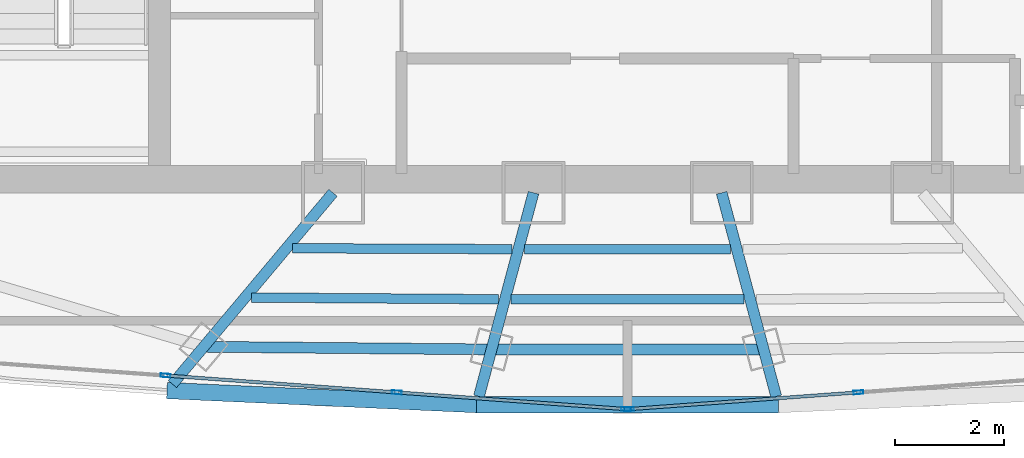
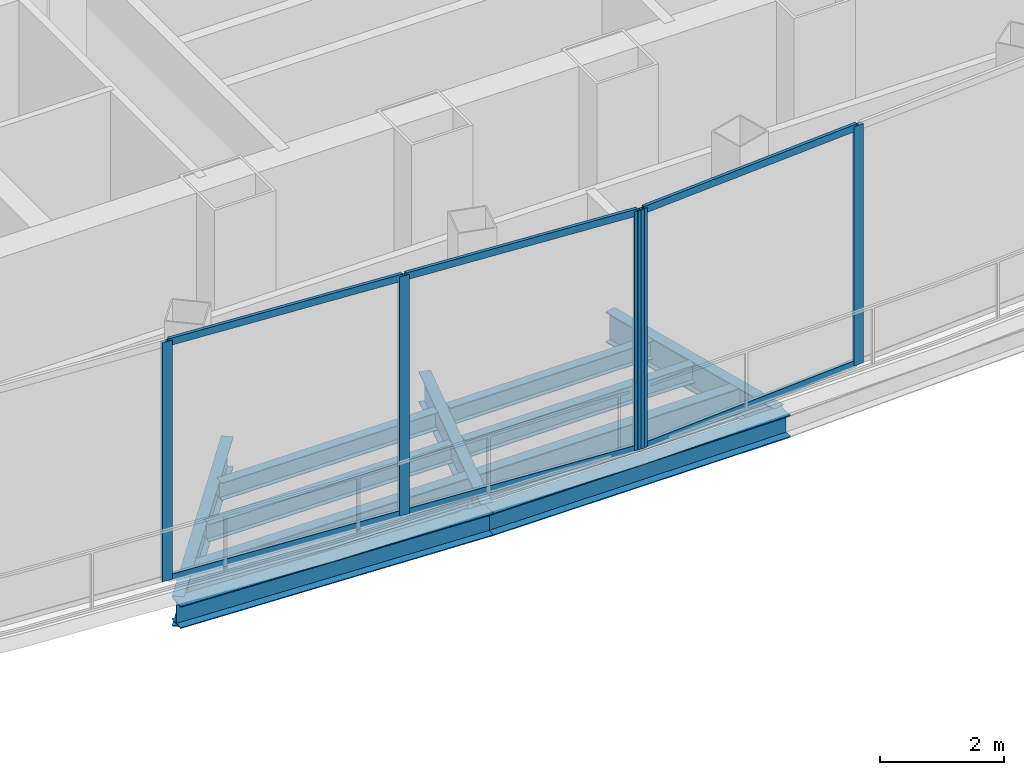
# One storey, part 8 of 33: 11 beams, 11 members, 2 elements without a shape of their own.
"""IFC4 building model written with IfcOpenShell, lengths in metres."""

from ifc_helpers import new_model, si_unit, direction, frame, origin, origin_2d, place, context, subcontext, project, spatial, hollow_rectangle, i_section, extrude, source, transform, mapped, material, layer, layer_set, material_profile, profile_set, type_object, element, aggregate, save


model = new_model("IFC4")

# Units and contexts
model_context = context("Model", 3, precision=1e-05, world=origin(), true_north=direction((0.0, 1.0)))
body_context = subcontext(model_context, "Body", "Model", "MODEL_VIEW")
ifc_project = project(units=[si_unit("LENGTHUNIT", "METRE"), si_unit("AREAUNIT", "SQUARE_METRE"), si_unit("VOLUMEUNIT", "CUBIC_METRE"), si_unit("PLANEANGLEUNIT", "RADIAN"), si_unit("MASSUNIT", "GRAM", prefix="KILO"), si_unit("THERMODYNAMICTEMPERATUREUNIT", "KELVIN"), si_unit("POWERUNIT", "WATT")], contexts=[model_context])

# Site, building, storey
site_placement = place(None, origin())
site = spatial("IfcSite", under=ifc_project, at=site_placement, CompositionType="ELEMENT")
building_placement = place(site_placement, origin())
building = spatial("IfcBuilding", under=site, at=building_placement, Name="Yunzhuo Pagoda Commons", CompositionType="ELEMENT")
storey_placement = place(building_placement, frame((0.0, 0.0, 386.760009765625)))
storey = spatial("IfcBuildingStorey", under=building, at=storey_placement, Name="L96", CompositionType="ELEMENT", Elevation=386.760009765625)

# Beams
ifc_material_1 = material(Name="Structural steel Q355B", Category="steel")
ifc_material_profile_1 = material_profile(ifc_material_1, i_section(OverallWidth=0.199951171875, OverallDepth=0.60009765625, WebThickness=0.010986328125, FlangeThickness=0.01708984375, at=origin_2d()), Name="Structural steel Q355B")
ifc_profile_set_1 = profile_set([ifc_material_profile_1], Name="Structural steel Q355B")
beam_type_1 = type_object("IfcBeamType", Name="B-RG3 Beam HN 600x200x11x17", PredefinedType="BEAM", material=ifc_profile_set_1)
shared_shape_1 = source(origin(), body_context, "Body", "SweptSolid", [
    extrude(i_section(OverallWidth=0.199951171875, OverallDepth=0.60009765625, WebThickness=0.010986328125, FlangeThickness=0.01708984375, at=origin_2d()), origin(), (0.0, 0.0, 1.0), 5.286376953125),
])
beam_1_placement = place(storey_placement, frame((40.214599609375, 24.421630859375, -0.580078125), z_axis=(0.999957341442, -0.009236627946, 0.0), x_axis=(0.009236627946, 0.999957341442, 0.0)))
element("IfcBeam", 1, at=beam_1_placement, inside=storey, type_object=beam_type_1, Name="L96 column-ring beam 1", PredefinedType="BEAM", context=body_context, shape_type="MappedRepresentation", body=[
    mapped(shared_shape_1, transform((0.0, 0.0, 0.0), scale=1.0)),
])
shared_shape_2 = source(origin(), body_context, "Body", "SweptSolid", [
    extrude(i_section(OverallWidth=0.199951171875, OverallDepth=0.60009765625, WebThickness=0.010986328125, FlangeThickness=0.01708984375, at=origin_2d()), origin(), (0.0, 0.0, 1.0), 4.99853515625),
])
beam_2_placement = place(storey_placement, frame((45.500732421875, 24.372802734375, -0.580078125), z_axis=(1.0, 0.0, 0.0), x_axis=(0.0, 1.0, 0.0)))
element("IfcBeam", 2, at=beam_2_placement, inside=storey, type_object=beam_type_1, Name="L96 column-ring beam 2", PredefinedType="BEAM", context=body_context, shape_type="MappedRepresentation", body=[
    mapped(shared_shape_2, transform((0.0, 0.0, 0.0), scale=1.0)),
])
ifc_material_profile_2 = material_profile(ifc_material_1, i_section(OverallWidth=0.175048828125, OverallDepth=0.35009765625, WebThickness=0.007080078125, FlangeThickness=0.010986328125, at=origin_2d()), Name="Structural steel Q355B")
ifc_profile_set_2 = profile_set([ifc_material_profile_2], Name="Structural steel Q355B")
beam_type_2 = type_object("IfcBeamType", Name="B-JS2 Joist HN 350x175x7x11", PredefinedType="JOIST", material=ifc_profile_set_2)
shared_shape_3 = source(origin(), body_context, "Body", "SweptSolid", [
    extrude(i_section(OverallWidth=0.175048828125, OverallDepth=0.35009765625, WebThickness=0.007080078125, FlangeThickness=0.010986328125, at=origin_2d()), origin(), (0.0, 0.0, 1.0), 4.03076171875),
])
beam_3_placement = place(storey_placement, frame((41.848388671875, 26.231201171875, -0.455078125), z_axis=(0.999991518197, -0.004118680996, 0.0), x_axis=(0.004118680996, 0.999991518197, 0.0)))
element("IfcBeam", 3, at=beam_3_placement, inside=storey, type_object=beam_type_2, Name="L96 composite ring joist 1.1", PredefinedType="JOIST", context=body_context, shape_type="MappedRepresentation", body=[
    mapped(shared_shape_3, transform((0.0, 0.0, 0.0), scale=1.0)),
])
shared_shape_4 = source(origin(), body_context, "Body", "SweptSolid", [
    extrude(i_section(OverallWidth=0.175048828125, OverallDepth=0.35009765625, WebThickness=0.007080078125, FlangeThickness=0.010986328125, at=origin_2d()), origin(), (0.0, 0.0, 1.0), 4.54345703125),
])
beam_4_placement = place(storey_placement, frame((41.089111328125, 25.325927734375, -0.455078125), z_axis=(0.999975976237, -0.006931590593, 0.0), x_axis=(0.006931590593, 0.999975976237, 0.0)))
element("IfcBeam", 4, at=beam_4_placement, inside=storey, type_object=beam_type_2, Name="L96 composite ring joist 2.1", PredefinedType="JOIST", context=body_context, shape_type="MappedRepresentation", body=[
    mapped(shared_shape_4, transform((0.0, 0.0, 0.0), scale=1.0)),
])
shared_shape_5 = source(origin(), body_context, "Body", "SweptSolid", [
    extrude(i_section(OverallWidth=0.175048828125, OverallDepth=0.35009765625, WebThickness=0.007080078125, FlangeThickness=0.010986328125, at=origin_2d()), origin(), (0.0, 0.0, 1.0), 3.78173828125),
])
beam_5_placement = place(storey_placement, frame((46.109130859375, 26.214111328125, -0.455078125), z_axis=(1.0, 0.0, 0.0), x_axis=(0.0, 1.0, 0.0)))
element("IfcBeam", 5, at=beam_5_placement, inside=storey, type_object=beam_type_2, Name="L96 composite ring joist 1.2", PredefinedType="JOIST", context=body_context, shape_type="MappedRepresentation", body=[
    mapped(shared_shape_5, transform((0.0, 0.0, 0.0), scale=1.0)),
])
shared_shape_6 = source(origin(), body_context, "Body", "SweptSolid", [
    extrude(i_section(OverallWidth=0.175048828125, OverallDepth=0.35009765625, WebThickness=0.007080078125, FlangeThickness=0.010986328125, at=origin_2d()), origin(), (0.0, 0.0, 1.0), 4.27490234375),
])
beam_6_placement = place(storey_placement, frame((45.862548828125, 25.29345703125, -0.455078125), z_axis=(1.0, 0.0, 0.0), x_axis=(0.0, 1.0, 0.0)))
element("IfcBeam", 6, at=beam_6_placement, inside=storey, type_object=beam_type_2, Name="L96 composite ring joist 2.2", PredefinedType="JOIST", context=body_context, shape_type="MappedRepresentation", body=[
    mapped(shared_shape_6, transform((0.0, 0.0, 0.0), scale=1.0)),
])
shared_shape_7 = source(origin(), body_context, "Body", "SweptSolid", [
    extrude(i_section(OverallWidth=0.199951171875, OverallDepth=0.60009765625, WebThickness=0.010986328125, FlangeThickness=0.01708984375, at=origin_2d()), origin(), (0.0, 0.0, 1.0), 4.587158203125),
])
beam_7_placement = place(storey_placement, frame((39.639404296875, 23.736083984375, -0.580078125), z_axis=(0.642782581433, 0.766048662297, 0.0), x_axis=(-0.766048662297, 0.642782581433, 0.0)))
element("IfcBeam", 7, at=beam_7_placement, inside=storey, type_object=beam_type_1, Name="L96 radial floor girder F1C1", PredefinedType="BEAM", context=body_context, shape_type="MappedRepresentation", body=[
    mapped(shared_shape_7, transform((0.0, 0.0, 0.0), scale=1.0)),
])
shared_shape_8 = source(origin(), body_context, "Body", "SweptSolid", [
    extrude(i_section(OverallWidth=0.199951171875, OverallDepth=0.60009765625, WebThickness=0.010986328125, FlangeThickness=0.01708984375, at=origin_2d()), origin(), (0.0, 0.0, 1.0), 3.873779296875),
])
beam_8_placement = place(storey_placement, frame((45.269287109375, 23.50830078125, -0.580078125), z_axis=(0.258843194056, 0.965919355273, 0.0), x_axis=(-0.965919355273, 0.258843194056, 0.0)))
element("IfcBeam", 8, at=beam_8_placement, inside=storey, type_object=beam_type_1, Name="L96 radial floor girder F1C2", PredefinedType="BEAM", context=body_context, shape_type="MappedRepresentation", body=[
    mapped(shared_shape_8, transform((0.0, 0.0, 0.0), scale=1.0)),
])
shared_shape_9 = source(origin(), body_context, "Body", "SweptSolid", [
    extrude(i_section(OverallWidth=0.199951171875, OverallDepth=0.60009765625, WebThickness=0.010986328125, FlangeThickness=0.01708984375, at=origin_2d()), origin(), (0.0, 0.0, 1.0), 3.87353515625),
])
beam_9_placement = place(storey_placement, frame((50.730712890625, 23.50830078125, -0.580078125), z_axis=(-0.258725583844, 0.965950864312, 0.0), x_axis=(-0.965950864312, -0.258725583844, 0.0)))
element("IfcBeam", 9, at=beam_9_placement, inside=storey, type_object=beam_type_1, Name="L96 radial floor girder F1C3", PredefinedType="BEAM", context=body_context, shape_type="MappedRepresentation", body=[
    mapped(shared_shape_9, transform((0.0, 0.0, 0.0), scale=1.0)),
])
ifc_material_profile_3 = material_profile(ifc_material_1, i_section(OverallWidth=0.300048828125, OverallDepth=0.43994140625, WebThickness=0.010986328125, FlangeThickness=0.01806640625, at=origin_2d()), Name="Structural steel Q355B")
ifc_profile_set_3 = profile_set([ifc_material_profile_3], Name="Structural steel Q355B")
beam_type_3 = type_object("IfcBeamType", Name="B-SP2 Beam HM 440x300x11x18", PredefinedType="BEAM", material=ifc_profile_set_3)
shared_shape_10 = source(origin(), body_context, "Body", "SweptSolid", [
    extrude(i_section(OverallWidth=0.300048828125, OverallDepth=0.43994140625, WebThickness=0.010986328125, FlangeThickness=0.01806640625, at=origin_2d()), origin(), (0.0, 0.0, 1.0), 5.6953125),
])
beam_10_placement = place(storey_placement, frame((39.53955078125, 23.617431640625, -0.5), z_axis=(0.998967125564, -0.045438772447, 0.0), x_axis=(0.045438772447, 0.998967125564, 0.0)))
element("IfcBeam", 10, at=beam_10_placement, inside=storey, type_object=beam_type_3, Name="L96 facade edge spandrel beam F1.1", PredefinedType="BEAM", context=body_context, shape_type="MappedRepresentation", body=[
    mapped(shared_shape_10, transform((0.0, 0.0, 0.0), scale=1.0)),
])
shared_shape_11 = source(origin(), body_context, "Body", "SweptSolid", [
    extrude(i_section(OverallWidth=0.300048828125, OverallDepth=0.43994140625, WebThickness=0.010986328125, FlangeThickness=0.01806640625, at=origin_2d()), origin(), (0.0, 0.0, 1.0), 5.5419921875),
])
beam_11_placement = place(storey_placement, frame((45.22900390625, 23.358642578125, -0.5), z_axis=(1.0, 0.0, 0.0), x_axis=(0.0, 1.0, 0.0)))
element("IfcBeam", 11, at=beam_11_placement, inside=storey, type_object=beam_type_3, Name="L96 facade edge spandrel beam F1.2", PredefinedType="BEAM", context=body_context, shape_type="MappedRepresentation", body=[
    mapped(shared_shape_11, transform((0.0, 0.0, 0.0), scale=1.0)),
])

# Curtain wall, members
ifc_material_2 = material(Name="Anodized aluminium 6063-T6", Category="aluminium")
ifc_layer = layer(ifc_material_2, 0.179931640625)
ifc_layer_set = layer_set([ifc_layer], Name="Anodized aluminium 6063-T6")
curtain_wall_type = type_object("IfcCurtainWallType", Name="CW-CRN Crown Gable Glazing System", PredefinedType="NOTDEFINED", material=ifc_layer_set)
curtain_wall_1_placement = place(storey_placement, origin())
curtain_wall_1 = element("IfcCurtainWall", 12, at=curtain_wall_1_placement, inside=storey, type_object=curtain_wall_type, Name="L96 curtain wall CW-L96-CRNF1G1", PredefinedType="NOTDEFINED")
ifc_material_profile_4 = material_profile(ifc_material_2, hollow_rectangle(XDim=0.06494140625, YDim=0.179931640625, WallThickness=0.00390625, at=origin_2d()), Name="Anodized aluminium 6063-T6")
ifc_profile_set_4 = profile_set([ifc_material_profile_4], Name="Anodized aluminium 6063-T6")
member_type_1 = type_object("IfcMemberType", Name="CW-CRN-M Mullion RHS 180x65x4", PredefinedType="MULLION", material=ifc_profile_set_4)
shared_shape_12 = source(origin(), body_context, "Body", "SweptSolid", [
    extrude(hollow_rectangle(XDim=0.06494140625, YDim=0.179931640625, WallThickness=0.00390625, at=origin_2d()), origin(), (0.0, 0.0, 1.0), 4.72021484375),
])
member_1_placement = place(storey_placement, frame((39.513427734375, 23.8935546875, 0.0), z_axis=(0.0, 0.0, 1.0), x_axis=(0.072795570763, 0.997346882924, 0.0)))
member_1 = element("IfcMember", 13, at=member_1_placement, type_object=member_type_1, Name="CW mullion 3", PredefinedType="MULLION", context=body_context, shape_type="MappedRepresentation", body=[
    mapped(shared_shape_12, transform((0.0, 0.0, 0.0), scale=1.0)),
])
member_2_placement = place(storey_placement, frame((43.759765625, 23.583740234375, 0.0), z_axis=(0.0, 0.0, 1.0), x_axis=(0.072795570763, 0.997346882924, 0.0)))
member_2 = element("IfcMember", 14, at=member_2_placement, type_object=member_type_1, Name="CW mullion 4", PredefinedType="MULLION", context=body_context, shape_type="MappedRepresentation", body=[
    mapped(shared_shape_12, transform((0.0, 0.0, 0.0), scale=1.0)),
])
member_3_placement = place(storey_placement, frame((47.973388671875, 23.276123046875, 0.0), z_axis=(0.0, 0.0, 1.0), x_axis=(0.072795570763, 0.997346882924, 0.0)))
member_3 = element("IfcMember", 15, at=member_3_placement, type_object=member_type_1, Name="CW mullion 5", PredefinedType="MULLION", context=body_context, shape_type="MappedRepresentation", body=[
    mapped(shared_shape_12, transform((0.0, 0.0, 0.0), scale=1.0)),
])

curtain_wall_2_placement = place(storey_placement, origin())
curtain_wall_2 = element("IfcCurtainWall", 16, at=curtain_wall_2_placement, inside=storey, type_object=curtain_wall_type, Name="L96 curtain wall CW-L96-CRNF1G2", PredefinedType="NOTDEFINED")
member_4_placement = place(storey_placement, frame((48.026611328125, 23.276123046875, 0.0), z_axis=(0.0, 0.0, 1.0), x_axis=(-0.072795997095, 0.997346851806, 0.0)))
member_4 = element("IfcMember", 17, at=member_4_placement, type_object=member_type_1, Name="CW mullion 1", PredefinedType="MULLION", context=body_context, shape_type="MappedRepresentation", body=[
    mapped(shared_shape_12, transform((0.0, 0.0, 0.0), scale=1.0)),
])
member_5_placement = place(storey_placement, frame((52.240234375, 23.583740234375, 0.0), z_axis=(0.0, 0.0, 1.0), x_axis=(-0.072795997095, 0.997346851806, 0.0)))
member_5 = element("IfcMember", 18, at=member_5_placement, type_object=member_type_1, Name="CW mullion 2", PredefinedType="MULLION", context=body_context, shape_type="MappedRepresentation", body=[
    mapped(shared_shape_12, transform((0.0, 0.0, 0.0), scale=1.0)),
])

# Member
ifc_material_profile_5 = material_profile(ifc_material_2, hollow_rectangle(XDim=0.06005859375, YDim=0.139892578125, WallThickness=0.00341796875, at=origin_2d()), Name="Anodized aluminium 6063-T6")
ifc_profile_set_5 = profile_set([ifc_material_profile_5], Name="Anodized aluminium 6063-T6")
member_type_2 = type_object("IfcMemberType", Name="CW-CRN-T Transom RHS 140x60x3.5", PredefinedType="USERDEFINED", material=ifc_profile_set_5)
shared_shape_13 = source(origin(), body_context, "Body", "SweptSolid", [
    extrude(hollow_rectangle(XDim=0.06005859375, YDim=0.139892578125, WallThickness=0.00341796875, at=origin_2d()), origin(), (0.0, 0.0, 1.0), 4.192626953125),
])
member_6_placement = place(storey_placement, frame((39.5458984375, 23.891357421875, 0.030029296875), z_axis=(0.99734724805, -0.072790568113, 0.0), x_axis=(0.072790568113, 0.99734724805, 0.0)))
member_6 = element("IfcMember", 19, at=member_6_placement, type_object=member_type_2, Name="CW transom 3.1", ObjectType="TRANSOM", PredefinedType="USERDEFINED", context=body_context, shape_type="MappedRepresentation", body=[
    mapped(shared_shape_13, transform((0.0, 0.0, 0.0), scale=1.0)),
])

member_7_placement = place(storey_placement, frame((39.5458984375, 23.891357421875, 4.68994140625), z_axis=(0.99734724805, -0.072790568113, 0.0), x_axis=(0.072790568113, 0.99734724805, 0.0)))
member_7 = element("IfcMember", 20, at=member_7_placement, type_object=member_type_2, Name="CW transom 3.2", ObjectType="TRANSOM", PredefinedType="USERDEFINED", context=body_context, shape_type="MappedRepresentation", body=[
    mapped(shared_shape_13, transform((0.0, 0.0, 0.0), scale=1.0)),
])

shared_shape_14 = source(origin(), body_context, "Body", "SweptSolid", [
    extrude(hollow_rectangle(XDim=0.06005859375, YDim=0.139892578125, WallThickness=0.00341796875, at=origin_2d()), origin(), (0.0, 0.0, 1.0), 4.159912109375),
])
member_8_placement = place(storey_placement, frame((43.7919921875, 23.581298828125, 0.030029296875), z_axis=(0.997352754644, -0.072715079617, 0.0), x_axis=(0.072715079617, 0.997352754644, 0.0)))
member_8 = element("IfcMember", 21, at=member_8_placement, type_object=member_type_2, Name="CW transom 4.1", ObjectType="TRANSOM", PredefinedType="USERDEFINED", context=body_context, shape_type="MappedRepresentation", body=[
    mapped(shared_shape_14, transform((0.0, 0.0, 0.0), scale=1.0)),
])

member_9_placement = place(storey_placement, frame((43.7919921875, 23.581298828125, 4.68994140625), z_axis=(0.997352754644, -0.072715079617, 0.0), x_axis=(0.072715079617, 0.997352754644, 0.0)))
member_9 = element("IfcMember", 22, at=member_9_placement, type_object=member_type_2, Name="CW transom 4.2", ObjectType="TRANSOM", PredefinedType="USERDEFINED", context=body_context, shape_type="MappedRepresentation", body=[
    mapped(shared_shape_14, transform((0.0, 0.0, 0.0), scale=1.0)),
])

aggregate(curtain_wall_1, [member_1, member_2, member_3, member_6, member_7, member_8, member_9])

member_10_placement = place(storey_placement, frame((48.05908203125, 23.27880859375, 0.030029296875), z_axis=(0.997352754644, 0.072715079617, 0.0), x_axis=(-0.072715079617, 0.997352754644, 0.0)))
member_10 = element("IfcMember", 23, at=member_10_placement, type_object=member_type_2, Name="CW transom 1.1", ObjectType="TRANSOM", PredefinedType="USERDEFINED", context=body_context, shape_type="MappedRepresentation", body=[
    mapped(shared_shape_14, transform((0.0, 0.0, 0.0), scale=1.0)),
])

member_11_placement = place(storey_placement, frame((48.05908203125, 23.27880859375, 4.68994140625), z_axis=(0.997352754644, 0.072715079617, 0.0), x_axis=(-0.072715079617, 0.997352754644, 0.0)))
member_11 = element("IfcMember", 24, at=member_11_placement, type_object=member_type_2, Name="CW transom 1.2", ObjectType="TRANSOM", PredefinedType="USERDEFINED", context=body_context, shape_type="MappedRepresentation", body=[
    mapped(shared_shape_14, transform((0.0, 0.0, 0.0), scale=1.0)),
])

aggregate(curtain_wall_2, [member_4, member_5, member_10, member_11])

save(model, "model.ifc")
